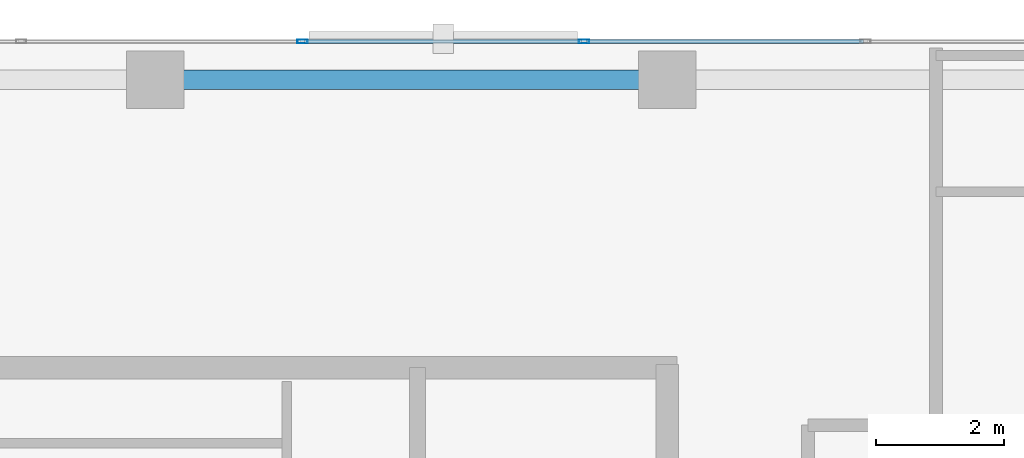
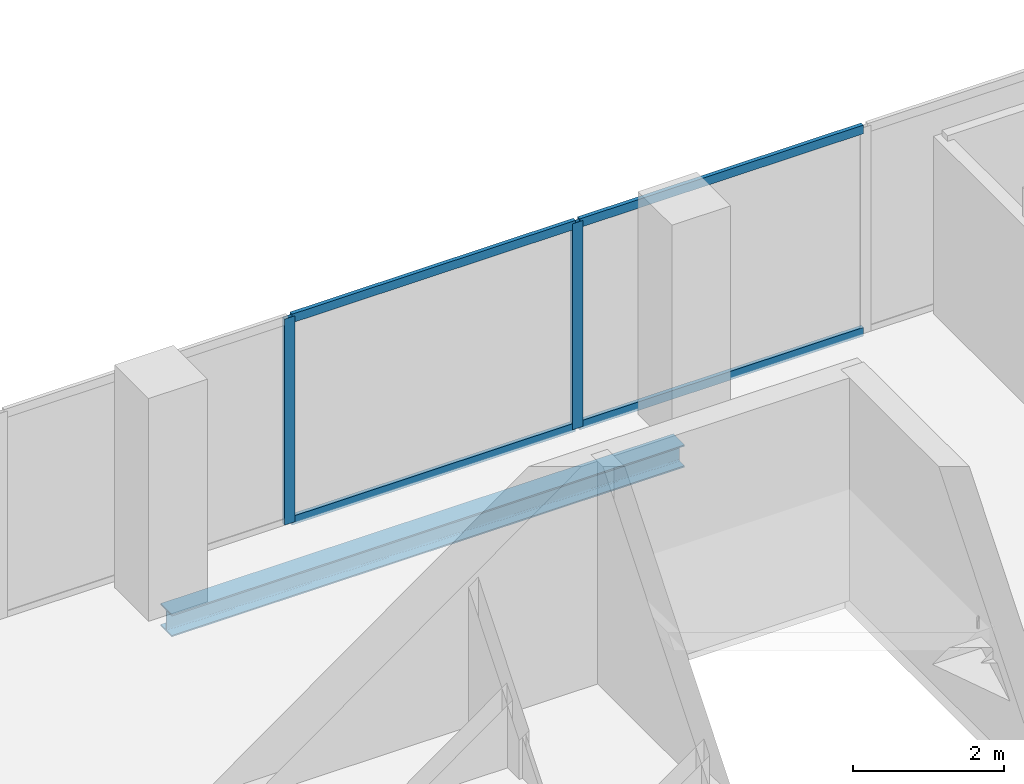
# One storey, part 24 of 33: 6 members, 1 beam, 1 element without a shape of its own.
"""IFC4 building model written with IfcOpenShell, lengths in metres."""

import ifcopenshell
import ifcopenshell.guid

model = None  # the IFC model being written
_history = None  # IfcOwnerHistory: only IFC2X3 demands one
_inside = {}  # id of a spatial element -> (the spatial element, [elements in it])
_under = {}  # id of a project, library or spatial element -> (it, [spatial elements below it])
_declared = {}  # id of a project -> (the project, [libraries it declares])
_typed = {}  # id of a type object -> (the type object, [elements of that type])
_made_of = {}  # id of a material, layer set ... -> (it, [elements and type objects made of it])


def new_model(schema):
    """Start an empty IFC model of exactly this schema.

    Asked for "IFC4X3", IfcOpenShell would pick the latest addendum, in which some entities
    have other attributes; the version numbers below select the first issue.
    IFC2X3 requires an IfcOwnerHistory on every rooted entity: one is made here for all.
    """
    global model, _history
    if schema == "IFC4X3":
        model = ifcopenshell.file(schema_version=(4, 3, 0, 0))
    else:
        model = ifcopenshell.file(schema=schema)
    _inside.clear()
    _under.clear()
    _declared.clear()
    _typed.clear()
    _made_of.clear()
    _history = None
    if model.schema == "IFC2X3":
        org = make("IfcOrganization", Name="unknown")
        user = make(
            "IfcPersonAndOrganization",
            ThePerson=make("IfcPerson", FamilyName="unknown"),
            TheOrganization=org,
        )
        app = make(
            "IfcApplication",
            ApplicationDeveloper=org,
            Version="unknown",
            ApplicationFullName="unknown",
            ApplicationIdentifier="unknown",
        )
        _history = make(
            "IfcOwnerHistory",
            OwningUser=user,
            OwningApplication=app,
            ChangeAction="ADDED",
            CreationDate=0,
        )
    return model


def make(cls, **values):
    """One entity of the class cls with the attributes given. An attribute that is None is left unset."""
    return model.create_entity(
        cls, **{name: value for name, value in values.items() if value is not None}
    )


def rooted(cls, **values):
    """An entity with a GlobalId (a new one), such as an element, a storey or a relation."""
    return make(cls, GlobalId=ifcopenshell.guid.new(), OwnerHistory=_history, **values)


def si_unit(unit_type, name, prefix=None):
    """IfcSIUnit, for example si_unit("LENGTHUNIT", "METRE", prefix="MILLI")."""
    return make("IfcSIUnit", UnitType=unit_type, Prefix=prefix, Name=name)


def assignment(units):
    """IfcUnitAssignment: the units of a project."""
    return None if units is None else make("IfcUnitAssignment", Units=units)


def point(xyz):
    """IfcCartesianPoint."""
    return None if xyz is None else make("IfcCartesianPoint", Coordinates=xyz)


def direction(xyz):
    """IfcDirection."""
    return None if xyz is None else make("IfcDirection", DirectionRatios=xyz)


def frame(location, z_axis=None, x_axis=None):
    """IfcAxis2Placement3D, a coordinate frame: its origin and axes. An axis left out is left unset."""
    return make(
        "IfcAxis2Placement3D",
        Location=point(location),
        Axis=direction(z_axis),
        RefDirection=direction(x_axis),
    )


def frame_2d(location, x_axis=None):
    """IfcAxis2Placement2D, a coordinate frame in the plane: its origin and x axis."""
    return make(
        "IfcAxis2Placement2D", Location=point(location), RefDirection=direction(x_axis)
    )


def origin():
    """The frame at (0, 0, 0) with its axes left unset."""
    return frame((0.0, 0.0, 0.0))


def origin_2d():
    """The frame at (0, 0) in the plane with its x axis left unset."""
    return frame_2d((0.0, 0.0))


def place(relative_to, where):
    """IfcLocalPlacement: puts the frame where relative to a parent placement (None: the world)."""
    return make(
        "IfcLocalPlacement", PlacementRelTo=relative_to, RelativePlacement=where
    )


def context(
    kind, dimensions, precision=None, world=None, true_north=None, identifier=None
):
    """IfcGeometricRepresentationContext, for example the 3D "Model" context."""
    return make(
        "IfcGeometricRepresentationContext",
        ContextIdentifier=identifier,
        ContextType=kind,
        CoordinateSpaceDimension=dimensions,
        Precision=precision,
        WorldCoordinateSystem=world,
        TrueNorth=true_north,
    )


def subcontext(parent, identifier, kind, view, scale=None):
    """IfcGeometricRepresentationSubContext, for example "Body" below "Model"."""
    return make(
        "IfcGeometricRepresentationSubContext",
        ContextIdentifier=identifier,
        ContextType=kind,
        ParentContext=parent,
        TargetScale=scale,
        TargetView=view,
    )


def project(units=None, contexts=None):
    """IfcProject with its units and contexts."""
    return rooted(
        "IfcProject",
        Name="project",
        RepresentationContexts=contexts,
        UnitsInContext=assignment(units),
    )


def spatial(cls, under=None, at=None, **own):
    """A site, building, storey or space (cls), placed at a placement, below another one or the project."""
    s = rooted(cls, ObjectPlacement=at, **own)
    if under is not None:
        _under.setdefault(under.id(), (under, []))[1].append(s)
    return s


def profile(cls, at=None, kind="AREA", **sizes):
    """A parametric profile (cls). Its sizes go by their IFC names, for example OverallWidth=200.0."""
    return make(cls, ProfileType=kind, Position=at, **sizes)


def hollow_rectangle(**sizes):
    """IfcRectangleHollowProfileDef."""
    return profile("IfcRectangleHollowProfileDef", **sizes)


def i_section(**sizes):
    """IfcIShapeProfileDef."""
    return profile("IfcIShapeProfileDef", **sizes)


def extrude(swept, where, along, depth):
    """IfcExtrudedAreaSolid: the profile swept, set in the frame where, extruded along a direction by depth."""
    return make(
        "IfcExtrudedAreaSolid",
        SweptArea=swept,
        Position=where,
        ExtrudedDirection=direction(along),
        Depth=depth,
    )


def shape(context_of_items, identifier, shape_type, items):
    """IfcShapeRepresentation: the items that make up one representation, for example the "Body"."""
    return make(
        "IfcShapeRepresentation",
        ContextOfItems=context_of_items,
        RepresentationIdentifier=identifier,
        RepresentationType=shape_type,
        Items=items,
    )


def material(Name=None, Category=None):
    """IfcMaterial."""
    return make("IfcMaterial", Name=Name, Category=Category)


def layer(
    of_material, thickness, ventilated=None, Name=None, Category=None, Priority=None
):
    """IfcMaterialLayer: one layer of a wall or slab, of a material (None: an air gap)."""
    return make(
        "IfcMaterialLayer",
        Material=of_material,
        LayerThickness=thickness,
        IsVentilated=ventilated,
        Name=Name,
        Category=Category,
        Priority=Priority,
    )


def layer_set(layers, Name=None):
    """IfcMaterialLayerSet."""
    return make("IfcMaterialLayerSet", MaterialLayers=layers, LayerSetName=Name)


def material_profile(
    of_material, cross_section, Name=None, Category=None, Priority=None
):
    """IfcMaterialProfile: a cross section and its material."""
    return make(
        "IfcMaterialProfile",
        Name=Name,
        Material=of_material,
        Profile=cross_section,
        Priority=Priority,
        Category=Category,
    )


def profile_set(profiles, Name=None, composite=None):
    """IfcMaterialProfileSet."""
    return make(
        "IfcMaterialProfileSet",
        Name=Name,
        MaterialProfiles=profiles,
        CompositeProfile=composite,
    )


def made_of(thing, what):
    """Note that an element or type object is made of a material, layer set ...; save() writes the relation."""
    if what is not None:
        _made_of.setdefault(what.id(), (what, []))[1].append(thing)
    return thing


def type_object(cls, material=None, **own):
    """A type object (cls), such as IfcWallType, which elements share."""
    return made_of(rooted(cls, **own), material)


def element(
    cls,
    number,
    at=None,
    inside=None,
    cuts=None,
    type_object=None,
    material=None,
    context=None,
    identifier="Body",
    shape_type=None,
    held_by="IfcProductDefinitionShape",
    body=None,
    shapes=None,
    **own,
):
    """One element of the class cls, such as IfcWall. Its Tag is "e" and its number.

    at: its placement. inside: the storey or other place that contains it. cuts: it is an
    opening in that element (IfcRelVoidsElement). A single representation is given by context,
    identifier, shape_type and body (its items); several are given by shapes. held_by: the class
    of the entity that holds the representations. save() writes the other relations.
    """
    e = rooted(cls, Tag="e%d" % number, ObjectPlacement=at, **own)
    if body is not None:
        shapes = [shape(context, identifier, shape_type, body)]
    if shapes is not None:
        e.Representation = make(held_by, Representations=shapes)
    if inside is not None:
        _inside.setdefault(inside.id(), (inside, []))[1].append(e)
    if cuts is not None:
        rooted(
            "IfcRelVoidsElement", RelatingBuildingElement=cuts, RelatedOpeningElement=e
        )
    if type_object is not None:
        _typed.setdefault(type_object.id(), (type_object, []))[1].append(e)
    return made_of(e, material)


def aggregate(whole, parts):
    """IfcRelAggregates: a whole, such as a stair, and the parts it consists of."""
    return rooted("IfcRelAggregates", RelatingObject=whole, RelatedObjects=parts)


def save(model, path):
    """Write the relations noted so far, then the file.

    IfcRelAggregates (storeys below a building ...), IfcRelContainedInSpatialStructure (elements
    in a storey), IfcRelDefinesByType, IfcRelAssociatesMaterial and IfcRelDeclares: one each for
    every whole, place, type object, material and project.
    """
    for whole, parts in _under.values():
        aggregate(whole, parts)
    for where, things in _inside.values():
        rooted(
            "IfcRelContainedInSpatialStructure",
            RelatedElements=things,
            RelatingStructure=where,
        )
    for kind, things in _typed.values():
        rooted("IfcRelDefinesByType", RelatedObjects=things, RelatingType=kind)
    for what, things in _made_of.values():
        rooted("IfcRelAssociatesMaterial", RelatedObjects=things, RelatingMaterial=what)
    for by, libraries in _declared.values():
        rooted("IfcRelDeclares", RelatingContext=by, RelatedDefinitions=libraries)
    model.write(path)


model = new_model("IFC4")

# Units and contexts
model_context = context("Model", 3, precision=1e-05, world=origin(), true_north=direction((0.0, 1.0)))
body_context = subcontext(model_context, "Body", "Model", "MODEL_VIEW")
ifc_project = project(units=[si_unit("LENGTHUNIT", "METRE"), si_unit("AREAUNIT", "SQUARE_METRE"), si_unit("VOLUMEUNIT", "CUBIC_METRE"), si_unit("PLANEANGLEUNIT", "RADIAN"), si_unit("MASSUNIT", "GRAM", prefix="KILO")], contexts=[model_context])

# Site, building, storey
site_placement = place(None, origin())
site = spatial("IfcSite", under=ifc_project, at=site_placement, CompositionType="ELEMENT")
building_placement = place(site_placement, origin())
building = spatial("IfcBuilding", under=site, at=building_placement, Name="Catumbela Crestline Tower", CompositionType="ELEMENT")
storey_placement = place(building_placement, frame((0.0, 0.0, 108.0)))
storey = spatial("IfcBuildingStorey", under=building, at=storey_placement, Name="L27", CompositionType="ELEMENT", Elevation=108.0)

# Curtain wall, members
ifc_material_1 = material(Name="Aluminium alloy AW-6060-T66", Category="aluminium")
ifc_layer = layer(ifc_material_1, 0.18, Name="Aluminium alloy AW-6060-T66")
ifc_layer_set = layer_set([ifc_layer], Name="Aluminium alloy AW-6060-T66")
curtain_wall_type = type_object("IfcCurtainWallType", Name="CWU-Z2", PredefinedType="USERDEFINED", material=ifc_layer_set)
curtain_wall_placement = place(storey_placement, origin())
curtain_wall = element("IfcCurtainWall", 1, at=curtain_wall_placement, inside=storey, type_object=curtain_wall_type, Name="L27 Unitised Curtain Wall CW-L27-E7S1", ObjectType="UNITISED", PredefinedType="USERDEFINED")
ifc_material_profile_1 = material_profile(ifc_material_1, hollow_rectangle(XDim=0.06, YDim=0.16, WallThickness=0.004, at=origin_2d()), Name="ALU 160x60x4")
ifc_profile_set_1 = profile_set([ifc_material_profile_1], Name="Aluminium alloy AW-6060-T66")
member_type_1 = type_object("IfcMemberType", Name="MUL-160X60", PredefinedType="MULLION", material=ifc_profile_set_1)
member_1_placement = place(storey_placement, frame((38.7, 48.0, 0.0), z_axis=(0.0, 0.0, 1.0), x_axis=(0.0, -1.0, 0.0)))
member_1 = element("IfcMember", 2, at=member_1_placement, type_object=member_type_1, Name="CWU-Z2 mullion 3", PredefinedType="MULLION", context=body_context, shape_type="SweptSolid", body=[
    extrude(hollow_rectangle(XDim=0.06, YDim=0.16, WallThickness=0.004, at=origin_2d()), origin(), (0.0, 0.0, 1.0), 3.33),
])
member_2_placement = place(storey_placement, frame((34.3, 48.0, 0.0), z_axis=(0.0, 0.0, 1.0), x_axis=(0.0, -1.0, 0.0)))
member_2 = element("IfcMember", 3, at=member_2_placement, type_object=member_type_1, Name="CWU-Z2 mullion 4", PredefinedType="MULLION", context=body_context, shape_type="SweptSolid", body=[
    extrude(hollow_rectangle(XDim=0.06, YDim=0.16, WallThickness=0.004, at=origin_2d()), origin(), (0.0, 0.0, 1.0), 3.33),
])

# Beam
ifc_material_2 = material(Name="Structural steel S355J2", Category="steel")
ifc_material_profile_2 = material_profile(ifc_material_2, i_section(OverallWidth=0.3, OverallDepth=0.36, WebThickness=0.0125, FlangeThickness=0.0225, FilletRadius=0.027, at=origin_2d()), Name="HEB 360")
ifc_profile_set_2 = profile_set([ifc_material_profile_2], Name="Structural steel S355J2")
beam_type = type_object("IfcBeamType", Name="BS-HEB360", PredefinedType="SPANDREL", material=ifc_profile_set_2)
beam_placement = place(storey_placement, frame((32.08, 47.4, -0.44), z_axis=(1.0, 0.0, 0.0), x_axis=(0.0, 1.0, 0.0)))
element("IfcBeam", 4, at=beam_placement, inside=storey, type_object=beam_type, Name="L27 Spandrel SP-L27-NF20", PredefinedType="SPANDREL", context=body_context, shape_type="SweptSolid", body=[
    extrude(i_section(OverallWidth=0.3, OverallDepth=0.36, WebThickness=0.0125, FlangeThickness=0.0225, FilletRadius=0.027, at=origin_2d()), origin(), (0.0, 0.0, 1.0), 7.84),
])

# Member
ifc_material_profile_3 = material_profile(ifc_material_1, hollow_rectangle(XDim=0.06, YDim=0.14, WallThickness=0.004, at=origin_2d()), Name="ALU 140x60x4")
ifc_profile_set_3 = profile_set([ifc_material_profile_3], Name="Aluminium alloy AW-6060-T66")
member_type_2 = type_object("IfcMemberType", Name="TRN-140X60", PredefinedType="USERDEFINED", material=ifc_profile_set_3)
member_3_placement = place(storey_placement, frame((43.0675, 48.0, 0.03), z_axis=(-1.0, 0.0, 0.0), x_axis=(0.0, -1.0, 0.0)))
member_3 = element("IfcMember", 5, at=member_3_placement, type_object=member_type_2, Name="CWU-Z2 transom 2.1", ObjectType="TRANSOM", PredefinedType="USERDEFINED", context=body_context, shape_type="SweptSolid", body=[
    extrude(hollow_rectangle(XDim=0.06, YDim=0.14, WallThickness=0.004, at=origin_2d()), origin(), (0.0, 0.0, 1.0), 4.335),
])

member_4_placement = place(storey_placement, frame((43.0675, 48.0, 3.3), z_axis=(-1.0, 0.0, 0.0), x_axis=(0.0, -1.0, 0.0)))
member_4 = element("IfcMember", 6, at=member_4_placement, type_object=member_type_2, Name="CWU-Z2 transom 2.2", ObjectType="TRANSOM", PredefinedType="USERDEFINED", context=body_context, shape_type="SweptSolid", body=[
    extrude(hollow_rectangle(XDim=0.06, YDim=0.14, WallThickness=0.004, at=origin_2d()), origin(), (0.0, 0.0, 1.0), 4.335),
])

member_5_placement = place(storey_placement, frame((38.6675, 48.0, 0.03), z_axis=(-1.0, 0.0, 0.0), x_axis=(0.0, -1.0, 0.0)))
member_5 = element("IfcMember", 7, at=member_5_placement, type_object=member_type_2, Name="CWU-Z2 transom 3.1", ObjectType="TRANSOM", PredefinedType="USERDEFINED", context=body_context, shape_type="SweptSolid", body=[
    extrude(hollow_rectangle(XDim=0.06, YDim=0.14, WallThickness=0.004, at=origin_2d()), origin(), (0.0, 0.0, 1.0), 4.335),
])

member_6_placement = place(storey_placement, frame((38.6675, 48.0, 3.3), z_axis=(-1.0, 0.0, 0.0), x_axis=(0.0, -1.0, 0.0)))
member_6 = element("IfcMember", 8, at=member_6_placement, type_object=member_type_2, Name="CWU-Z2 transom 3.2", ObjectType="TRANSOM", PredefinedType="USERDEFINED", context=body_context, shape_type="SweptSolid", body=[
    extrude(hollow_rectangle(XDim=0.06, YDim=0.14, WallThickness=0.004, at=origin_2d()), origin(), (0.0, 0.0, 1.0), 4.335),
])

aggregate(curtain_wall, [member_1, member_2, member_3, member_4, member_5, member_6])

save(model, "model.ifc")
